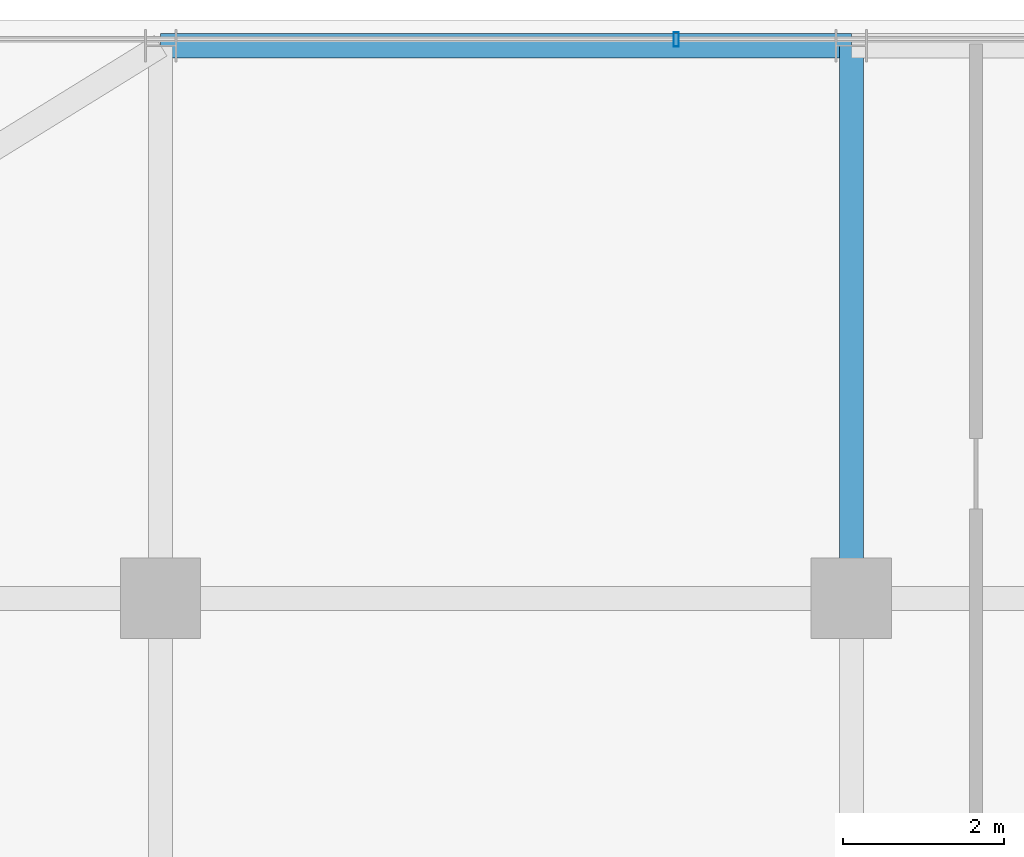
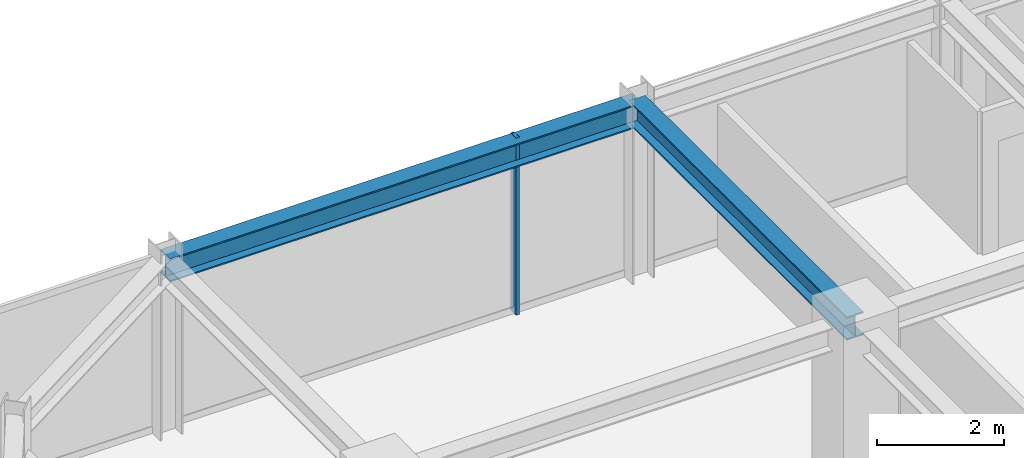
# One storey, part 21 of 36: 2 beams, 1 member, 1 element without a shape of its own.
"""IFC4 building model written with IfcOpenShell, lengths in metres."""

from ifc_helpers import new_model, si_unit, direction, frame, origin, origin_2d, place, context, subcontext, project, spatial, hollow_rectangle, i_section, extrude, source, transform, mapped, material, material_profile, profile_set, type_object, element, aggregate, save


model = new_model("IFC4")

# Units and contexts
model_context = context("Model", 3, precision=1e-05, world=origin(), true_north=direction((0.0, 1.0)))
body_context = subcontext(model_context, "Body", "Model", "MODEL_VIEW")
ifc_project = project(units=[si_unit("LENGTHUNIT", "METRE"), si_unit("AREAUNIT", "SQUARE_METRE"), si_unit("VOLUMEUNIT", "CUBIC_METRE"), si_unit("PLANEANGLEUNIT", "RADIAN"), si_unit("MASSUNIT", "GRAM", prefix="KILO")], contexts=[model_context])

# Site, building, storey
site_placement = place(None, origin())
site = spatial("IfcSite", under=ifc_project, at=site_placement, CompositionType="ELEMENT")
building_placement = place(site_placement, origin())
building = spatial("IfcBuilding", under=site, at=building_placement, Name="Nahalor Promenade Grand Hotel", CompositionType="ELEMENT")
storey_placement = place(building_placement, frame((0.0, 0.0, 223.39990234375)))
storey = spatial("IfcBuildingStorey", under=building, at=storey_placement, Name="L57", CompositionType="ELEMENT", Elevation=223.39990234375)

# Beams
ifc_material_1 = material(Name="Steel S355JR", Category="steel")
ifc_material_profile_1 = material_profile(ifc_material_1, i_section(OverallWidth=0.3, OverallDepth=0.45, WebThickness=0.014, FlangeThickness=0.026, at=origin_2d()), Name="HEB 450")
ifc_profile_set_1 = profile_set([ifc_material_profile_1], Name="Steel S355JR")
beam_type_1 = type_object("IfcBeamType", Name="Beam-Spandrel-HEB450", PredefinedType="SPANDREL", material=ifc_profile_set_1)
shared_shape_1 = source(origin(), body_context, "Body", "SweptSolid", [
    extrude(i_section(OverallWidth=0.3, OverallDepth=0.45, WebThickness=0.014, FlangeThickness=0.026, at=origin_2d()), origin(), (0.0, 0.0, 1.0), 8.60009765625),
])
beam_1_placement = place(storey_placement, frame((-17.0, 23.8798828125, 3.18505859375), z_axis=(1.0, 0.0, 0.0), x_axis=(0.0, 1.0, 0.0)))
element("IfcBeam", 1, at=beam_1_placement, inside=storey, type_object=beam_type_1, Name="BM-L57-SP-N-0", PredefinedType="SPANDREL", context=body_context, shape_type="MappedRepresentation", body=[
    mapped(shared_shape_1, transform((0.0, 0.0, 0.0), scale=1.0)),
])
ifc_material_profile_2 = material_profile(ifc_material_1, i_section(OverallWidth=0.3, OverallDepth=0.45, WebThickness=0.014, FlangeThickness=0.026, at=origin_2d()), Name="HEB 450")
ifc_profile_set_2 = profile_set([ifc_material_profile_2], Name="Steel S355JR")
beam_type_2 = type_object("IfcBeamType", Name="Beam-Girder-HEB450", PredefinedType="BEAM", material=ifc_profile_set_2)
shared_shape_2 = source(origin(), body_context, "Body", "SweptSolid", [
    extrude(i_section(OverallWidth=0.3, OverallDepth=0.45, WebThickness=0.014, FlangeThickness=0.026, at=origin_2d()), origin(), (0.0, 0.0, 1.0), 6.8798828125),
])
beam_2_placement = place(storey_placement, frame((-8.39990234375, 17.0, 3.18505859375), z_axis=(0.0, 1.0, 0.0), x_axis=(-1.0, 0.0, 0.0)))
element("IfcBeam", 2, at=beam_2_placement, inside=storey, type_object=beam_type_2, Name="BM-L57-GY-1-4", PredefinedType="BEAM", context=body_context, shape_type="MappedRepresentation", body=[
    mapped(shared_shape_2, transform((0.0, 0.0, 0.0), scale=1.0)),
])

# Curtain wall, member
ifc_material_2 = material(Name="Anodised Bronze Aluminium EN AW-6063 T6", Category="aluminium")
curtain_wall_type = type_object("IfcCurtainWallType", Name="CW2 Typical Hotel Flush Bronze Unitised Curtain Wall", PredefinedType="USERDEFINED", material=ifc_material_2)
curtain_wall_placement = place(storey_placement, origin())
curtain_wall = element("IfcCurtainWall", 3, at=curtain_wall_placement, inside=storey, type_object=curtain_wall_type, Name="L57 Curtain Wall CW-L57-N-1", ObjectType="UNITISED_CURTAIN_WALL", PredefinedType="USERDEFINED")
ifc_material_profile_3 = material_profile(ifc_material_2, hollow_rectangle(XDim=0.065, YDim=0.18, WallThickness=0.004, at=origin_2d()), Name="CWM 65x180x4")
ifc_profile_set_3 = profile_set([ifc_material_profile_3], Name="Anodised Bronze Aluminium EN AW-6063 T6")
member_type = type_object("IfcMemberType", Name="CWM2 Typical Bronze Mullion 65x180", PredefinedType="MULLION", material=ifc_profile_set_3)
shared_shape_3 = source(origin(), body_context, "Body", "SweptSolid", [
    extrude(hollow_rectangle(XDim=0.065, YDim=0.18, WallThickness=0.004, at=origin_2d()), origin(), (0.0, 0.0, 1.0), 3.41015625),
])
member_placement = place(storey_placement, frame((-10.580078125, 23.9599609375, 0.0), z_axis=(0.0, 0.0, 1.0), x_axis=(1.0, 0.0, 0.0)))
member = element("IfcMember", 4, at=member_placement, type_object=member_type, Name="CW-L57-N-1 Mullion 1", PredefinedType="MULLION", context=body_context, shape_type="MappedRepresentation", body=[
    mapped(shared_shape_3, transform((0.0, 0.0, 0.0), scale=1.0)),
])
aggregate(curtain_wall, [member])

save(model, "model.ifc")
